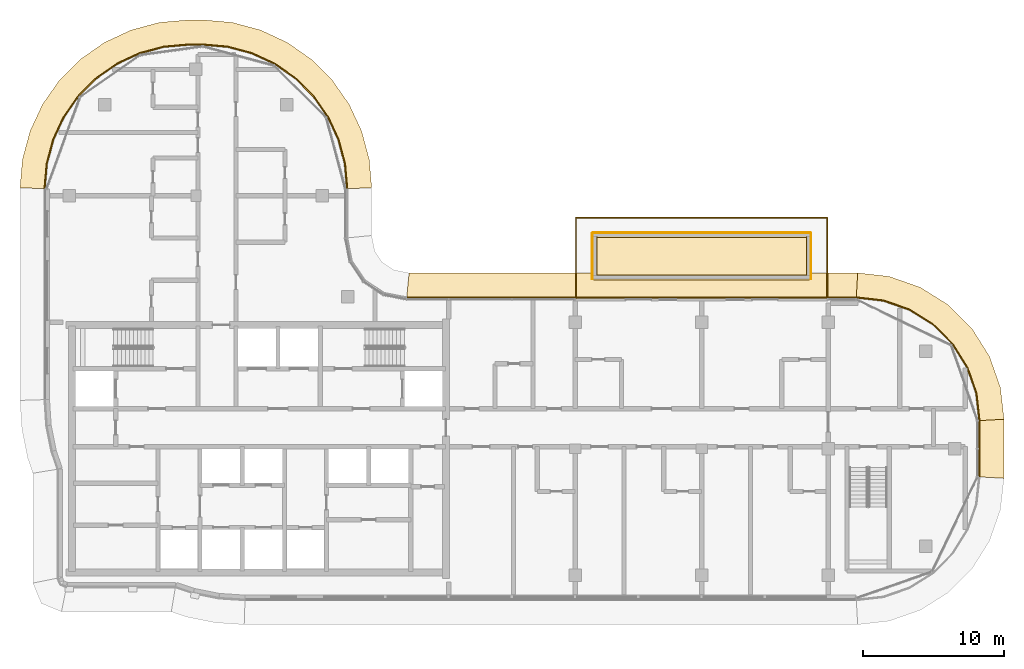
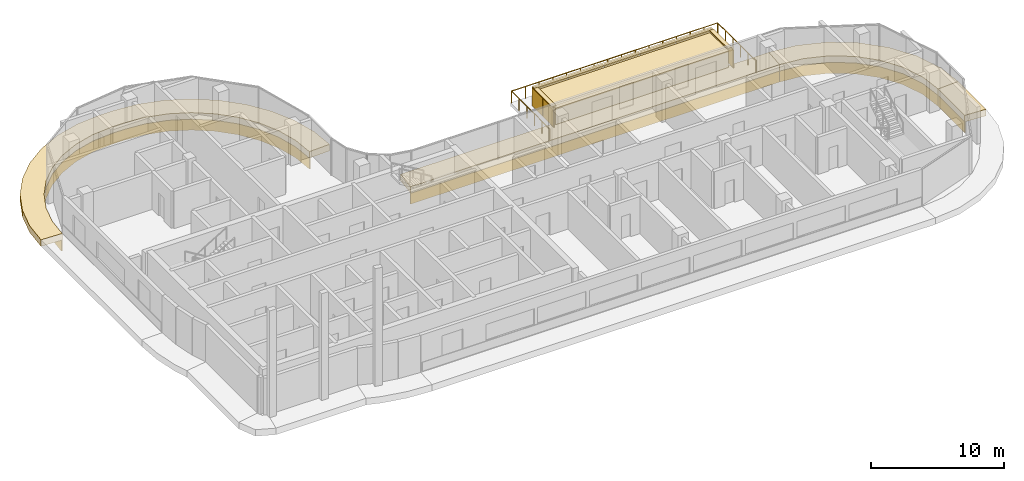
# One storey, part 20 of 20: 22 coverings, 1 railing.
"""IFC4 building model written with IfcOpenShell, lengths in metres."""

from ifc_helpers import new_model, si_unit, direction, frame, origin, origin_2d, place, context, subcontext, project, spatial, polyline, rectangle, circle, outline, extrude, material, layer, layer_set, type_object, element, save


model = new_model("IFC4")

# Units and contexts
model_context = context("Model", 3, precision=1e-05, world=origin(), true_north=direction((0.0, 1.0)))
body_context = subcontext(model_context, "Body", "Model", "MODEL_VIEW")
ifc_project = project(units=[si_unit("LENGTHUNIT", "METRE"), si_unit("AREAUNIT", "SQUARE_METRE"), si_unit("VOLUMEUNIT", "CUBIC_METRE"), si_unit("PLANEANGLEUNIT", "RADIAN"), si_unit("MASSUNIT", "GRAM", prefix="KILO")], contexts=[model_context])

# Site, building, storey
site_placement = place(None, origin())
site = spatial("IfcSite", under=ifc_project, at=site_placement, CompositionType="ELEMENT")
building_placement = place(site_placement, origin())
building = spatial("IfcBuilding", under=site, at=building_placement, Name="Ogive Portal Towers", CompositionType="ELEMENT")
storey_placement = place(building_placement, frame((0.0, 0.0, 195.800048828125)))
storey = spatial("IfcBuildingStorey", under=building, at=storey_placement, Name="L48", CompositionType="ELEMENT", Elevation=195.800048828125)

# Railing
ifc_material_1 = material(Name="Steel S355", Category="steel")
railing_type = type_object("IfcRailingType", Name="BALUSTRADE GLASS 1100", PredefinedType="BALUSTRADE", material=ifc_material_1)
railing_placement = place(storey_placement, frame((67.56005859375, 41.215087890625, 0.0)))
element("IfcRailing", 1, at=railing_placement, inside=storey, type_object=railing_type, Name="A:L48:pool:rail", PredefinedType="BALUSTRADE", context=body_context, shape_type="SweptSolid", body=[
    extrude(circle(Radius=0.02392578125, at=origin_2d()), frame((0.0, 0.0, 1.076171875), z_axis=(0.0, 1.0, 0.0), x_axis=(-1.0, 0.0, 0.0)), (0.0, 0.0, 1.0), 5.724853515625),
    extrude(circle(Radius=0.02392578125, at=origin_2d()), frame((0.0, 5.724853515625, 1.076171875), z_axis=(1.0, 0.0, 0.0), x_axis=(0.0, 1.0, 0.0)), (0.0, 0.0, 1.0), 17.8798828125),
    extrude(circle(Radius=0.02392578125, at=origin_2d()), frame((17.8798828125, 5.724853515625, 1.076171875), z_axis=(0.0, -1.0, 0.0), x_axis=(1.0, 0.0, 0.0)), (0.0, 0.0, 1.0), 5.724853515625),
    extrude(circle(Radius=0.02099609375, at=origin_2d()), origin(), (0.0, 0.0, 1.0), 1.052001953125),
    extrude(circle(Radius=0.02099609375, at=origin_2d()), frame((0.0, 1.14501953125, 0.0)), (0.0, 0.0, 1.0), 1.052001953125),
    extrude(circle(Radius=0.02099609375, at=origin_2d()), frame((0.0, 2.2900390625, 0.0)), (0.0, 0.0, 1.0), 1.052001953125),
    extrude(circle(Radius=0.02099609375, at=origin_2d()), frame((0.0, 3.434814453125, 0.0)), (0.0, 0.0, 1.0), 1.052001953125),
    extrude(circle(Radius=0.02099609375, at=origin_2d()), frame((0.0, 4.579833984375, 0.0)), (0.0, 0.0, 1.0), 1.052001953125),
    extrude(circle(Radius=0.02099609375, at=origin_2d()), frame((0.0, 5.724853515625, 0.0)), (0.0, 0.0, 1.0), 1.052001953125),
    extrude(circle(Radius=0.02099609375, at=origin_2d()), frame((1.19189453125, 5.724853515625, 0.0)), (0.0, 0.0, 1.0), 1.052001953125),
    extrude(circle(Radius=0.02099609375, at=origin_2d()), frame((2.384033203125, 5.724853515625, 0.0)), (0.0, 0.0, 1.0), 1.052001953125),
    extrude(circle(Radius=0.02099609375, at=origin_2d()), frame((3.575927734375, 5.724853515625, 0.0)), (0.0, 0.0, 1.0), 1.052001953125),
    extrude(circle(Radius=0.02099609375, at=origin_2d()), frame((4.76806640625, 5.724853515625, 0.0)), (0.0, 0.0, 1.0), 1.052001953125),
    extrude(circle(Radius=0.02099609375, at=origin_2d()), frame((5.9599609375, 5.724853515625, 0.0)), (0.0, 0.0, 1.0), 1.052001953125),
    extrude(circle(Radius=0.02099609375, at=origin_2d()), frame((7.15185546875, 5.724853515625, 0.0)), (0.0, 0.0, 1.0), 1.052001953125),
    extrude(circle(Radius=0.02099609375, at=origin_2d()), frame((8.343994140625, 5.724853515625, 0.0)), (0.0, 0.0, 1.0), 1.052001953125),
    extrude(circle(Radius=0.02099609375, at=origin_2d()), frame((9.535888671875, 5.724853515625, 0.0)), (0.0, 0.0, 1.0), 1.052001953125),
    extrude(circle(Radius=0.02099609375, at=origin_2d()), frame((10.72802734375, 5.724853515625, 0.0)), (0.0, 0.0, 1.0), 1.052001953125),
    extrude(circle(Radius=0.02099609375, at=origin_2d()), frame((11.919921875, 5.724853515625, 0.0)), (0.0, 0.0, 1.0), 1.052001953125),
    extrude(circle(Radius=0.02099609375, at=origin_2d()), frame((13.11181640625, 5.724853515625, 0.0)), (0.0, 0.0, 1.0), 1.052001953125),
    extrude(circle(Radius=0.02099609375, at=origin_2d()), frame((14.303955078125, 5.724853515625, 0.0)), (0.0, 0.0, 1.0), 1.052001953125),
    extrude(circle(Radius=0.02099609375, at=origin_2d()), frame((15.495849609375, 5.724853515625, 0.0)), (0.0, 0.0, 1.0), 1.052001953125),
    extrude(circle(Radius=0.02099609375, at=origin_2d()), frame((16.68798828125, 5.724853515625, 0.0)), (0.0, 0.0, 1.0), 1.052001953125),
    extrude(circle(Radius=0.02099609375, at=origin_2d()), frame((17.8798828125, 5.724853515625, 0.0)), (0.0, 0.0, 1.0), 1.052001953125),
    extrude(circle(Radius=0.02099609375, at=origin_2d()), frame((17.8798828125, 4.579833984375, 0.0)), (0.0, 0.0, 1.0), 1.052001953125),
    extrude(circle(Radius=0.02099609375, at=origin_2d()), frame((17.8798828125, 3.434814453125, 0.0)), (0.0, 0.0, 1.0), 1.052001953125),
    extrude(circle(Radius=0.02099609375, at=origin_2d()), frame((17.8798828125, 2.2900390625, 0.0)), (0.0, 0.0, 1.0), 1.052001953125),
    extrude(circle(Radius=0.02099609375, at=origin_2d()), frame((17.8798828125, 1.14501953125, 0.0)), (0.0, 0.0, 1.0), 1.052001953125),
    extrude(circle(Radius=0.02099609375, at=origin_2d()), frame((17.8798828125, 0.0, 0.0)), (0.0, 0.0, 1.0), 1.052001953125),
])

# Coverings
ifc_material_2 = material(Name="Limestone cladding on lightweight block wall", Category="masonry")
ifc_layer_1 = layer(ifc_material_2, 0.10009765625)
ifc_layer_set_1 = layer_set([ifc_layer_1], Name="POOL COPING STONE")
covering_type_1 = type_object("IfcCoveringType", Name="POOL COPING STONE", PredefinedType="CLADDING", material=ifc_layer_set_1)
covering_1_placement = place(storey_placement, frame((76.5, 42.68994140625, 1.64990234375), z_axis=(0.0, 0.0, 1.0), x_axis=(1.0, 0.0, 0.0)))
element("IfcCovering", 2, at=covering_1_placement, inside=storey, type_object=covering_type_1, Name="POOL COPING", PredefinedType="CLADDING", context=body_context, shape_type="SweptSolid", body=[
    extrude(rectangle(XDim=15.5, YDim=0.35009765625, at=origin_2d()), origin(), (0.0, 0.0, 1.0), 0.10009765625),
])
covering_2_placement = place(storey_placement, frame((84.125, 44.20751953125, 1.64990234375), z_axis=(0.0, 0.0, 1.0), x_axis=(1.0, 0.0, 0.0)))
element("IfcCovering", 3, at=covering_2_placement, inside=storey, type_object=covering_type_1, Name="POOL COPING", PredefinedType="CLADDING", context=body_context, shape_type="SweptSolid", body=[
    extrude(rectangle(XDim=0.35009765625, YDim=2.784912109375, at=origin_2d()), origin(), (0.0, 0.0, 1.0), 0.10009765625),
])
covering_3_placement = place(storey_placement, frame((76.5, 45.72509765625, 1.64990234375), z_axis=(0.0, 0.0, 1.0), x_axis=(1.0, 0.0, 0.0)))
element("IfcCovering", 4, at=covering_3_placement, inside=storey, type_object=covering_type_1, Name="POOL COPING", PredefinedType="CLADDING", context=body_context, shape_type="SweptSolid", body=[
    extrude(rectangle(XDim=15.5, YDim=0.35009765625, at=origin_2d()), origin(), (0.0, 0.0, 1.0), 0.10009765625),
])
covering_4_placement = place(storey_placement, frame((68.875, 44.20751953125, 1.64990234375), z_axis=(0.0, 0.0, 1.0), x_axis=(1.0, 0.0, 0.0)))
element("IfcCovering", 5, at=covering_4_placement, inside=storey, type_object=covering_type_1, Name="POOL COPING", PredefinedType="CLADDING", context=body_context, shape_type="SweptSolid", body=[
    extrude(rectangle(XDim=0.35009765625, YDim=2.784912109375, at=origin_2d()), origin(), (0.0, 0.0, 1.0), 0.10009765625),
])
ifc_material_3 = material(Name="Laminated glass, low-iron, translucent", Category="glass")
ifc_layer_2 = layer(ifc_material_3, 0.06005859375)
ifc_layer_set_2 = layer_set([ifc_layer_2], Name="POOL FASCIA PANEL")
covering_type_2 = type_object("IfcCoveringType", Name="POOL FASCIA PANEL", PredefinedType="CLADDING", material=ifc_layer_set_2)
for number, where, z_axis, x_axis, name in (
    (6, (70.27001953125, 45.8798828125, 0.0), (0.0, 0.0, 1.0), (1.0, 0.0, 0.0), "POOL FASCIA"),
    (7, (73.385009765625, 45.8798828125, 0.0), (0.0, 0.0, 1.0), (1.0, 0.0, 0.0), "POOL FASCIA"),
    (8, (76.5, 45.8798828125, 0.0), (0.0, 0.0, 1.0), (1.0, 0.0, 0.0), "POOL FASCIA"),
    (9, (79.614990234375, 45.8798828125, 0.0), (0.0, 0.0, 1.0), (1.0, 0.0, 0.0), "POOL FASCIA"),
    (10, (82.72998046875, 45.8798828125, 0.0), (0.0, 0.0, 1.0), (1.0, 0.0, 0.0), "POOL FASCIA"),
):
    element("IfcCovering", number, at=place(storey_placement, frame(where, z_axis=z_axis, x_axis=x_axis)), inside=storey, type_object=covering_type_2, Name=name, PredefinedType="CLADDING", context=body_context, shape_type="SweptSolid", body=[
        extrude(rectangle(XDim=3.0400390625, YDim=0.06005859375, at=origin_2d()), origin(), (0.0, 0.0, 1.0), 1.64990234375),
    ])
for number, where, z_axis, x_axis, name in (
    (11, (84.280029296875, 43.367431640625, 0.0), (0.0, 0.0, 1.0), (1.0, 0.0, 0.0), "POOL FASCIA"),
    (12, (84.280029296875, 45.047607421875, 0.0), (0.0, 0.0, 1.0), (1.0, 0.0, 0.0), "POOL FASCIA"),
    (13, (68.719970703125, 43.367431640625, 0.0), (0.0, 0.0, 1.0), (1.0, 0.0, 0.0), "POOL FASCIA"),
    (14, (68.719970703125, 45.047607421875, 0.0), (0.0, 0.0, 1.0), (1.0, 0.0, 0.0), "POOL FASCIA"),
):
    element("IfcCovering", number, at=place(storey_placement, frame(where, z_axis=z_axis, x_axis=x_axis)), inside=storey, type_object=covering_type_2, Name=name, PredefinedType="CLADDING", context=body_context, shape_type="SweptSolid", body=[
        extrude(rectangle(XDim=0.06005859375, YDim=1.60498046875, at=origin_2d()), origin(), (0.0, 0.0, 1.0), 1.64990234375),
    ])
ifc_material_4 = material(Name="Water, swimming pool")
ifc_layer_3 = layer(ifc_material_4, 1.5)
ifc_layer_set_3 = layer_set([ifc_layer_3], Name="POOL WATER BODY")
covering_type_3 = type_object("IfcCoveringType", Name="POOL WATER BODY", PredefinedType="USERDEFINED", material=ifc_layer_set_3)
covering_5_placement = place(storey_placement, frame((76.5, 44.20751953125, 0.0), z_axis=(0.0, 0.0, 1.0), x_axis=(1.0, 0.0, 0.0)))
element("IfcCovering", 15, at=covering_5_placement, inside=storey, type_object=covering_type_3, Name="POOL WATER", ObjectType="POOL WATER", PredefinedType="USERDEFINED", context=body_context, shape_type="SweptSolid", body=[
    extrude(rectangle(XDim=15.0, YDim=2.784912109375, at=origin_2d()), origin(), (0.0, 0.0, 1.0), 1.5),
])
ifc_layer_4 = layer(ifc_material_2, 0.080078125)
ifc_layer_set_4 = layer_set([ifc_layer_4], Name="STONE SPANDREL 80")
covering_type_4 = type_object("IfcCoveringType", Name="STONE SPANDREL 80", PredefinedType="CLADDING", material=ifc_layer_set_4)
covering_6_placement = place(storey_placement, frame((0.0, 0.0, -1.60009765625)))
element("IfcCovering", 16, at=covering_6_placement, inside=storey, type_object=covering_type_4, Name="Stone spandrel A1-F07", PredefinedType="CLADDING", context=body_context, shape_type="SweptSolid", body=[
    extrude(outline(polyline([(96.215087890625, 28.5), (96.215087890625, 32.5), (96.294921875, 32.50439453125), (96.294921875, 28.49560546875), (96.215087890625, 28.5)])), origin(), (0.0, 0.0, 1.0), 1.0),
])
covering_7_placement = place(storey_placement, frame((0.0, 0.0, -1.60009765625)))
element("IfcCovering", 17, at=covering_7_placement, inside=storey, type_object=covering_type_4, Name="Stone spandrel A1-F08", PredefinedType="CLADDING", context=body_context, shape_type="SweptSolid", body=[
    extrude(outline(polyline([(96.215087890625, 32.5), (95.99658203125, 34.439208984375), (95.35205078125, 36.28125), (94.313720703125, 37.93359375), (92.93359375, 39.313720703125), (91.28125, 40.35205078125), (89.439208984375, 40.99658203125), (87.5, 41.215087890625), (87.50439453125, 41.294921875), (89.457275390625, 41.074951171875), (91.316162109375, 40.424560546875), (92.98388671875, 39.376708984375), (94.376708984375, 37.98388671875), (95.424560546875, 36.316162109375), (96.074951171875, 34.457275390625), (96.294921875, 32.50439453125), (96.215087890625, 32.5)])), origin(), (0.0, 0.0, 1.0), 1.0),
])
covering_8_placement = place(storey_placement, frame((0.0, 0.0, -1.60009765625)))
element("IfcCovering", 18, at=covering_8_placement, inside=storey, type_object=covering_type_4, Name="Stone spandrel A1-F09", PredefinedType="CLADDING", context=body_context, shape_type="SweptSolid", body=[
    extrude(outline(polyline([(87.5, 41.215087890625), (55.5, 41.215087890625), (55.5078125, 41.294921875), (87.50439453125, 41.294921875), (87.5, 41.215087890625)])), origin(), (0.0, 0.0, 1.0), 1.0),
])
covering_9_placement = place(storey_placement, frame((0.0, 0.0, -1.60009765625)))
element("IfcCovering", 19, at=covering_9_placement, inside=storey, type_object=covering_type_4, Name="Stone spandrel A1-F12", PredefinedType="CLADDING", context=body_context, shape_type="SweptSolid", body=[
    extrude(outline(polyline([(51.215087890625, 49.0), (51.059814453125, 50.77392578125), (50.598876953125, 52.49365234375), (49.846435546875, 54.107421875), (48.8251953125, 55.566162109375), (47.566162109375, 56.8251953125), (46.107421875, 57.846435546875), (44.49365234375, 58.598876953125), (42.77392578125, 59.059814453125), (41.0, 59.215087890625), (40.0, 59.215087890625), (38.22607421875, 59.059814453125), (36.50634765625, 58.598876953125), (34.892578125, 57.846435546875), (33.433837890625, 56.8251953125), (32.1748046875, 55.566162109375), (31.153564453125, 54.107421875), (30.401123046875, 52.49365234375), (29.940185546875, 50.77392578125), (29.784912109375, 49.0), (29.705078125, 49.00341796875), (29.861083984375, 50.787841796875), (30.32568359375, 52.521240234375), (31.083984375, 54.147705078125), (32.11328125, 55.61767578125), (33.38232421875, 56.88671875), (34.852294921875, 57.916015625), (36.478759765625, 58.67431640625), (38.212158203125, 59.138916015625), (39.99658203125, 59.294921875), (41.00341796875, 59.294921875), (42.787841796875, 59.138916015625), (44.521240234375, 58.67431640625), (46.147705078125, 57.916015625), (47.61767578125, 56.88671875), (48.88671875, 55.61767578125), (49.916015625, 54.147705078125), (50.67431640625, 52.521240234375), (51.138916015625, 50.787841796875), (51.294921875, 49.00341796875), (51.215087890625, 49.0)])), origin(), (0.0, 0.0, 1.0), 1.0),
])
ifc_layer_5 = layer(ifc_material_2, 0.60009765625)
ifc_layer_set_5 = layer_set([ifc_layer_5], Name="SUNSHADE LIP 600")
covering_type_5 = type_object("IfcCoveringType", Name="SUNSHADE LIP 600", PredefinedType="CLADDING", material=ifc_layer_set_5)
covering_10_placement = place(storey_placement, frame((0.0, 0.0, -0.60009765625)))
element("IfcCovering", 20, at=covering_10_placement, inside=storey, type_object=covering_type_5, Name="Sunshade lip A1-F07", PredefinedType="CLADDING", context=body_context, shape_type="SweptSolid", body=[
    extrude(outline(polyline([(96.215087890625, 28.5), (96.215087890625, 32.5), (98.014892578125, 32.60107421875), (98.014892578125, 28.39892578125), (96.215087890625, 28.5)])), origin(), (0.0, 0.0, 1.0), 0.60009765625),
])
covering_11_placement = place(storey_placement, frame((0.0, 0.0, -0.60009765625)))
element("IfcCovering", 21, at=covering_11_placement, inside=storey, type_object=covering_type_5, Name="Sunshade lip A1-F08", PredefinedType="CLADDING", context=body_context, shape_type="SweptSolid", body=[
    extrude(outline(polyline([(96.215087890625, 32.5), (95.99658203125, 34.439208984375), (95.35205078125, 36.28125), (94.313720703125, 37.93359375), (92.93359375, 39.313720703125), (91.28125, 40.35205078125), (89.439208984375, 40.99658203125), (87.5, 41.215087890625), (87.60107421875, 43.014892578125), (89.84228515625, 42.762451171875), (92.067138671875, 41.98388671875), (94.06298828125, 40.72998046875), (95.72998046875, 39.06298828125), (96.98388671875, 37.067138671875), (97.762451171875, 34.84228515625), (98.014892578125, 32.60107421875), (96.215087890625, 32.5)])), origin(), (0.0, 0.0, 1.0), 0.60009765625),
])
covering_12_placement = place(storey_placement, frame((0.0, 0.0, -0.60009765625)))
element("IfcCovering", 22, at=covering_12_placement, inside=storey, type_object=covering_type_5, Name="Sunshade lip A1-F09", PredefinedType="CLADDING", context=body_context, shape_type="SweptSolid", body=[
    extrude(outline(polyline([(87.5, 41.215087890625), (55.5, 41.215087890625), (55.67724609375, 43.014892578125), (87.60107421875, 43.014892578125), (87.5, 41.215087890625)])), origin(), (0.0, 0.0, 1.0), 0.60009765625),
])
covering_13_placement = place(storey_placement, frame((0.0, 0.0, -0.60009765625)))
element("IfcCovering", 23, at=covering_13_placement, inside=storey, type_object=covering_type_5, Name="Sunshade lip A1-F12", PredefinedType="CLADDING", context=body_context, shape_type="SweptSolid", body=[
    extrude(outline(polyline([(51.215087890625, 49.0), (51.059814453125, 50.77392578125), (50.598876953125, 52.49365234375), (49.846435546875, 54.107421875), (48.8251953125, 55.566162109375), (47.566162109375, 56.8251953125), (46.107421875, 57.846435546875), (44.49365234375, 58.598876953125), (42.77392578125, 59.059814453125), (41.0, 59.215087890625), (40.0, 59.215087890625), (38.22607421875, 59.059814453125), (36.50634765625, 58.598876953125), (34.892578125, 57.846435546875), (33.433837890625, 56.8251953125), (32.1748046875, 55.566162109375), (31.153564453125, 54.107421875), (30.401123046875, 52.49365234375), (29.940185546875, 50.77392578125), (29.784912109375, 49.0), (27.985107421875, 49.07861328125), (28.16064453125, 51.087646484375), (28.703125, 53.11181640625), (29.5888671875, 55.010986328125), (30.790771484375, 56.7275390625), (32.2724609375, 58.209228515625), (33.989013671875, 59.4111328125), (35.88818359375, 60.296875), (37.912353515625, 60.83935546875), (39.92138671875, 61.014892578125), (41.07861328125, 61.014892578125), (43.087646484375, 60.83935546875), (45.11181640625, 60.296875), (47.010986328125, 59.4111328125), (48.7275390625, 58.209228515625), (50.209228515625, 56.7275390625), (51.4111328125, 55.010986328125), (52.296875, 53.11181640625), (52.83935546875, 51.087646484375), (53.014892578125, 49.07861328125), (51.215087890625, 49.0)])), origin(), (0.0, 0.0, 1.0), 0.60009765625),
])

save(model, "model.ifc")
